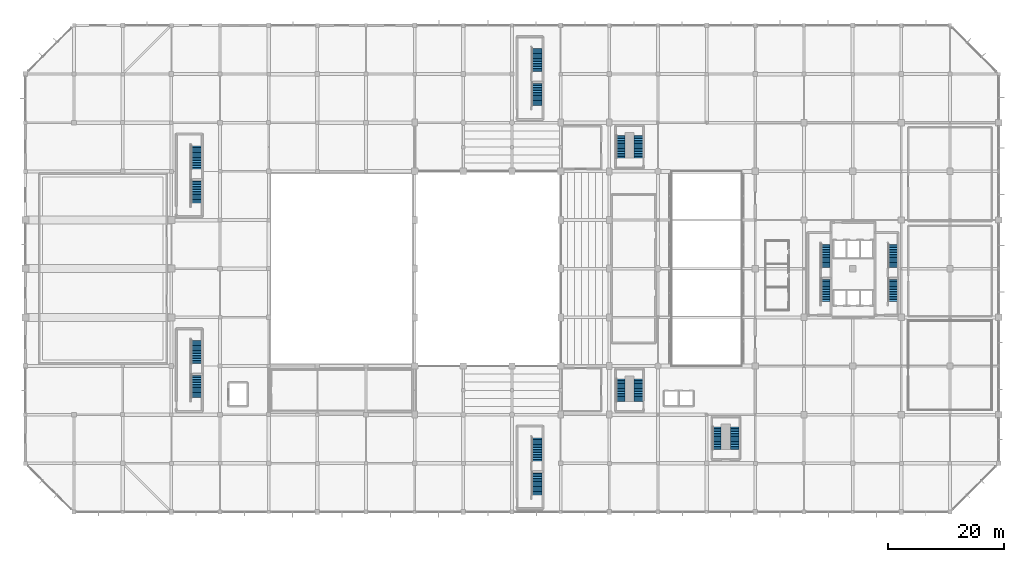
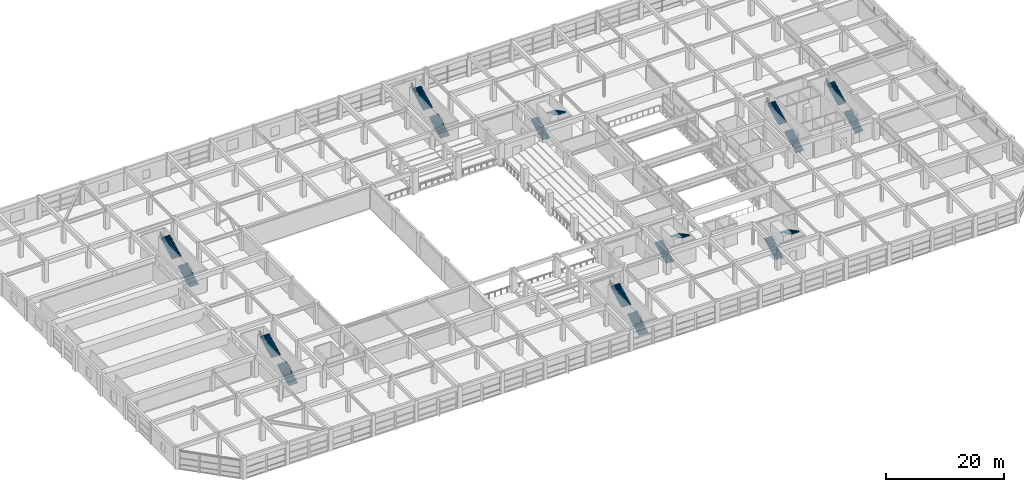
# One storey, part 54 of 62: 18 stair flights, 9 elements without a shape of their own.
"""IFC4 building model written with IfcOpenShell, lengths in metres."""

from ifc_helpers import new_model, si_unit, direction, frame, origin, place, context, subcontext, project, spatial, polyline, outline, extrude, material, layer, layer_set, type_object, element, aggregate, save


model = new_model("IFC4")

# Units and contexts
model_context = context("Model", 3, precision=1e-05, world=origin(), true_north=direction((0.0, 1.0)))
body_context = subcontext(model_context, "Body", "Model", "MODEL_VIEW")
ifc_project = project(units=[si_unit("LENGTHUNIT", "METRE"), si_unit("AREAUNIT", "SQUARE_METRE"), si_unit("VOLUMEUNIT", "CUBIC_METRE"), si_unit("PLANEANGLEUNIT", "RADIAN"), si_unit("MASSUNIT", "GRAM", prefix="KILO")], contexts=[model_context])

# Site, building, storey
site_placement = place(None, origin())
site = spatial("IfcSite", under=ifc_project, at=site_placement, CompositionType="ELEMENT")
building_placement = place(site_placement, origin())
building = spatial("IfcBuilding", under=site, at=building_placement, Name="Xuanlan Plaza Opera House", CompositionType="ELEMENT")
storey_placement = place(building_placement, frame((0.0, 0.0, 14.39990234375)))
storey = spatial("IfcBuildingStorey", under=building, at=storey_placement, Name="L03", CompositionType="ELEMENT", Elevation=14.39990234375)

# Stair, stair flights
ifc_material = material(Name="Concrete C40", Category="concrete")
stair_type_1 = type_object("IfcStairType", Name="INT-ST-STR-F130", PredefinedType="HALF_TURN_STAIR", material=ifc_material)
stair_1_placement = place(storey_placement, origin())
stair_1 = element("IfcStair", 1, at=stair_1_placement, inside=storey, type_object=stair_type_1, Name="Grand Foyer Feature Stair ST-F1 L03", PredefinedType="HALF_TURN_STAIR")
ifc_layer_1 = layer(ifc_material, 0.159912109375)
ifc_layer_set_1 = layer_set([ifc_layer_1], Name="Concrete C40")
stair_flight_type_1 = type_object("IfcStairFlightType", Name="INT-FL-FL-130", PredefinedType="STRAIGHT", material=ifc_layer_set_1)
stair_flight_1_placement = place(storey_placement, frame((102.75, 35.8798828125, 0.0), z_axis=(0.0, 0.0, 1.0), x_axis=(0.0, 1.0, 0.0)))
stair_flight_1 = element("IfcStairFlight", 2, at=stair_flight_1_placement, type_object=stair_flight_type_1, Name="ST-F1-L03 flight 1", NumberOfRisers=15, NumberOfTreads=14, PredefinedType="STRAIGHT", RiserHeight=0.15, TreadLength=0.28, context=body_context, shape_type="SweptSolid", body=[
    extrude(outline(polyline([(0.0, 0.0), (0.0, 0.14990234375), (0.280029296875, 0.14990234375), (0.280029296875, 0.300048828125), (0.56005859375, 0.300048828125), (0.56005859375, 0.449951171875), (0.840087890625, 0.449951171875), (0.840087890625, 0.60009765625), (1.1201171875, 0.60009765625), (1.1201171875, 0.75), (1.39990234375, 0.75), (1.39990234375, 0.89990234375), (1.679931640625, 0.89990234375), (1.679931640625, 1.050048828125), (1.9599609375, 1.050048828125), (1.9599609375, 1.199951171875), (2.239990234375, 1.199951171875), (2.239990234375, 1.35009765625), (2.52001953125, 1.35009765625), (2.52001953125, 1.5), (2.800048828125, 1.5), (2.800048828125, 1.64990234375), (3.080078125, 1.64990234375), (3.080078125, 1.800048828125), (3.360107421875, 1.800048828125), (3.360107421875, 1.949951171875), (3.639892578125, 1.949951171875), (3.639892578125, 2.10009765625), (3.919921875, 2.10009765625), (3.919921875, 2.25), (3.919921875, 1.918701171875), (0.338623046875, 0.0), (0.0, 0.0)])), frame((0.0, 0.75, 0.0), z_axis=(0.0, -1.0, 0.0), x_axis=(1.0, 0.0, 0.0)), (0.0, 0.0, 1.0), 1.5),
])
stair_flight_2_placement = place(storey_placement, frame((105.85009765625, 39.800048828125, 2.25), z_axis=(0.0, 0.0, 1.0), x_axis=(0.0, -1.0, 0.0)))
stair_flight_2 = element("IfcStairFlight", 3, at=stair_flight_2_placement, type_object=stair_flight_type_1, Name="ST-F1-L03 flight 2", NumberOfRisers=15, NumberOfTreads=14, PredefinedType="STRAIGHT", RiserHeight=0.15, TreadLength=0.28, context=body_context, shape_type="SweptSolid", body=[
    extrude(outline(polyline([(0.0, 0.0), (0.0, 0.14990234375), (0.280029296875, 0.14990234375), (0.280029296875, 0.300048828125), (0.56005859375, 0.300048828125), (0.56005859375, 0.449951171875), (0.840087890625, 0.449951171875), (0.840087890625, 0.60009765625), (1.1201171875, 0.60009765625), (1.1201171875, 0.75), (1.39990234375, 0.75), (1.39990234375, 0.89990234375), (1.679931640625, 0.89990234375), (1.679931640625, 1.050048828125), (1.9599609375, 1.050048828125), (1.9599609375, 1.199951171875), (2.239990234375, 1.199951171875), (2.239990234375, 1.35009765625), (2.52001953125, 1.35009765625), (2.52001953125, 1.5), (2.800048828125, 1.5), (2.800048828125, 1.64990234375), (3.080078125, 1.64990234375), (3.080078125, 1.800048828125), (3.360107421875, 1.800048828125), (3.360107421875, 1.949951171875), (3.639892578125, 1.949951171875), (3.639892578125, 2.10009765625), (3.919921875, 2.10009765625), (3.919921875, 2.25), (3.919921875, 1.918701171875), (0.338623046875, 0.0), (0.0, 0.0)])), frame((0.0, 0.75, 0.0), z_axis=(0.0, -1.0, 0.0), x_axis=(1.0, 0.0, 0.0)), (0.0, 0.0, 1.0), 1.5),
])
aggregate(stair_1, [stair_flight_1, stair_flight_2])

stair_2_placement = place(storey_placement, origin())
stair_2 = element("IfcStair", 4, at=stair_2_placement, inside=storey, type_object=stair_type_1, Name="Grand Foyer Feature Stair ST-F2 L03", PredefinedType="HALF_TURN_STAIR")
stair_flight_3_placement = place(storey_placement, frame((102.75, 77.8798828125, 0.0), z_axis=(0.0, 0.0, 1.0), x_axis=(0.0, 1.0, 0.0)))
stair_flight_3 = element("IfcStairFlight", 5, at=stair_flight_3_placement, type_object=stair_flight_type_1, Name="ST-F2-L03 flight 1", NumberOfRisers=15, NumberOfTreads=14, PredefinedType="STRAIGHT", RiserHeight=0.15, TreadLength=0.28, context=body_context, shape_type="SweptSolid", body=[
    extrude(outline(polyline([(0.0, 0.0), (0.0, 0.14990234375), (0.280029296875, 0.14990234375), (0.280029296875, 0.300048828125), (0.56005859375, 0.300048828125), (0.56005859375, 0.449951171875), (0.840087890625, 0.449951171875), (0.840087890625, 0.60009765625), (1.1201171875, 0.60009765625), (1.1201171875, 0.75), (1.39990234375, 0.75), (1.39990234375, 0.89990234375), (1.679931640625, 0.89990234375), (1.679931640625, 1.050048828125), (1.9599609375, 1.050048828125), (1.9599609375, 1.199951171875), (2.239990234375, 1.199951171875), (2.239990234375, 1.35009765625), (2.52001953125, 1.35009765625), (2.52001953125, 1.5), (2.800048828125, 1.5), (2.800048828125, 1.64990234375), (3.080078125, 1.64990234375), (3.080078125, 1.800048828125), (3.360107421875, 1.800048828125), (3.360107421875, 1.949951171875), (3.639892578125, 1.949951171875), (3.639892578125, 2.10009765625), (3.919921875, 2.10009765625), (3.919921875, 2.25), (3.919921875, 1.918701171875), (0.338623046875, 0.0), (0.0, 0.0)])), frame((0.0, 0.75, 0.0), z_axis=(0.0, -1.0, 0.0), x_axis=(1.0, 0.0, 0.0)), (0.0, 0.0, 1.0), 1.5),
])
stair_flight_4_placement = place(storey_placement, frame((105.85009765625, 81.800048828125, 2.25), z_axis=(0.0, 0.0, 1.0), x_axis=(0.0, -1.0, 0.0)))
stair_flight_4 = element("IfcStairFlight", 6, at=stair_flight_4_placement, type_object=stair_flight_type_1, Name="ST-F2-L03 flight 2", NumberOfRisers=15, NumberOfTreads=14, PredefinedType="STRAIGHT", RiserHeight=0.15, TreadLength=0.28, context=body_context, shape_type="SweptSolid", body=[
    extrude(outline(polyline([(0.0, 0.0), (0.0, 0.14990234375), (0.280029296875, 0.14990234375), (0.280029296875, 0.300048828125), (0.56005859375, 0.300048828125), (0.56005859375, 0.449951171875), (0.840087890625, 0.449951171875), (0.840087890625, 0.60009765625), (1.1201171875, 0.60009765625), (1.1201171875, 0.75), (1.39990234375, 0.75), (1.39990234375, 0.89990234375), (1.679931640625, 0.89990234375), (1.679931640625, 1.050048828125), (1.9599609375, 1.050048828125), (1.9599609375, 1.199951171875), (2.239990234375, 1.199951171875), (2.239990234375, 1.35009765625), (2.52001953125, 1.35009765625), (2.52001953125, 1.5), (2.800048828125, 1.5), (2.800048828125, 1.64990234375), (3.080078125, 1.64990234375), (3.080078125, 1.800048828125), (3.360107421875, 1.800048828125), (3.360107421875, 1.949951171875), (3.639892578125, 1.949951171875), (3.639892578125, 2.10009765625), (3.919921875, 2.10009765625), (3.919921875, 2.25), (3.919921875, 1.918701171875), (0.338623046875, 0.0), (0.0, 0.0)])), frame((0.0, 0.75, 0.0), z_axis=(0.0, -1.0, 0.0), x_axis=(1.0, 0.0, 0.0)), (0.0, 0.0, 1.0), 1.5),
])
aggregate(stair_2, [stair_flight_3, stair_flight_4])

stair_type_2 = type_object("IfcStairType", Name="INT-ST-STR-F135", PredefinedType="HALF_TURN_STAIR", material=ifc_material)
stair_3_placement = place(storey_placement, origin())
stair_3 = element("IfcStair", 7, at=stair_3_placement, inside=storey, type_object=stair_type_2, Name="Grand Foyer Feature Stair ST-F3 L03", PredefinedType="HALF_TURN_STAIR")
stair_flight_5_placement = place(storey_placement, frame((119.35009765625, 27.580078125, 0.0), z_axis=(0.0, 0.0, 1.0), x_axis=(0.0, 1.0, 0.0)))
stair_flight_5 = element("IfcStairFlight", 8, at=stair_flight_5_placement, type_object=stair_flight_type_1, Name="ST-F3-L03 flight 1", NumberOfRisers=15, NumberOfTreads=14, PredefinedType="STRAIGHT", RiserHeight=0.15, TreadLength=0.28, context=body_context, shape_type="SweptSolid", body=[
    extrude(outline(polyline([(0.0, 0.0), (0.0, 0.14990234375), (0.280029296875, 0.14990234375), (0.280029296875, 0.300048828125), (0.56005859375, 0.300048828125), (0.56005859375, 0.449951171875), (0.840087890625, 0.449951171875), (0.840087890625, 0.60009765625), (1.1201171875, 0.60009765625), (1.1201171875, 0.75), (1.39990234375, 0.75), (1.39990234375, 0.89990234375), (1.679931640625, 0.89990234375), (1.679931640625, 1.050048828125), (1.9599609375, 1.050048828125), (1.9599609375, 1.199951171875), (2.239990234375, 1.199951171875), (2.239990234375, 1.35009765625), (2.52001953125, 1.35009765625), (2.52001953125, 1.5), (2.800048828125, 1.5), (2.800048828125, 1.64990234375), (3.080078125, 1.64990234375), (3.080078125, 1.800048828125), (3.360107421875, 1.800048828125), (3.360107421875, 1.949951171875), (3.639892578125, 1.949951171875), (3.639892578125, 2.10009765625), (3.919921875, 2.10009765625), (3.919921875, 2.25), (3.919921875, 1.918701171875), (0.338623046875, 0.0), (0.0, 0.0)])), frame((0.0, 0.75, 0.0), z_axis=(0.0, -1.0, 0.0), x_axis=(1.0, 0.0, 0.0)), (0.0, 0.0, 1.0), 1.5),
])
stair_flight_6_placement = place(storey_placement, frame((122.449951171875, 31.5, 2.25), z_axis=(0.0, 0.0, 1.0), x_axis=(0.0, -1.0, 0.0)))
stair_flight_6 = element("IfcStairFlight", 9, at=stair_flight_6_placement, type_object=stair_flight_type_1, Name="ST-F3-L03 flight 2", NumberOfRisers=15, NumberOfTreads=14, PredefinedType="STRAIGHT", RiserHeight=0.15, TreadLength=0.28, context=body_context, shape_type="SweptSolid", body=[
    extrude(outline(polyline([(0.0, 0.0), (0.0, 0.14990234375), (0.280029296875, 0.14990234375), (0.280029296875, 0.300048828125), (0.56005859375, 0.300048828125), (0.56005859375, 0.449951171875), (0.840087890625, 0.449951171875), (0.840087890625, 0.60009765625), (1.1201171875, 0.60009765625), (1.1201171875, 0.75), (1.39990234375, 0.75), (1.39990234375, 0.89990234375), (1.679931640625, 0.89990234375), (1.679931640625, 1.050048828125), (1.9599609375, 1.050048828125), (1.9599609375, 1.199951171875), (2.239990234375, 1.199951171875), (2.239990234375, 1.35009765625), (2.52001953125, 1.35009765625), (2.52001953125, 1.5), (2.800048828125, 1.5), (2.800048828125, 1.64990234375), (3.080078125, 1.64990234375), (3.080078125, 1.800048828125), (3.360107421875, 1.800048828125), (3.360107421875, 1.949951171875), (3.639892578125, 1.949951171875), (3.639892578125, 2.10009765625), (3.919921875, 2.10009765625), (3.919921875, 2.25), (3.919921875, 1.918701171875), (0.338623046875, 0.0), (0.0, 0.0)])), frame((0.0, 0.75, 0.0), z_axis=(0.0, -1.0, 0.0), x_axis=(1.0, 0.0, 0.0)), (0.0, 0.0, 1.0), 1.5),
])
aggregate(stair_3, [stair_flight_5, stair_flight_6])

stair_type_3 = type_object("IfcStairType", Name="INT-ST-STR-T155", PredefinedType="STRAIGHT_RUN_STAIR", material=ifc_material)
stair_4_placement = place(storey_placement, origin())
stair_4 = element("IfcStair", 10, at=stair_4_placement, inside=storey, type_object=stair_type_3, Name="Protected Exit Stair ST-T1 L03", PredefinedType="STRAIGHT_RUN_STAIR")
ifc_layer_2 = layer(ifc_material, 0.159912109375)
ifc_layer_set_2 = layer_set([ifc_layer_2], Name="Concrete C40")
stair_flight_type_2 = type_object("IfcStairFlightType", Name="INT-FL-FL-155", PredefinedType="STRAIGHT", material=ifc_layer_set_2)
stair_flight_7_placement = place(storey_placement, frame((138.125, 53.169921875, 0.0), z_axis=(0.0, 0.0, 1.0), x_axis=(0.0, 1.0, 0.0)))
stair_flight_7 = element("IfcStairFlight", 11, at=stair_flight_7_placement, type_object=stair_flight_type_2, Name="ST-T1-L03 flight 1", NumberOfRisers=15, NumberOfTreads=14, PredefinedType="STRAIGHT", RiserHeight=0.15, TreadLength=0.285, context=body_context, shape_type="SweptSolid", body=[
    extrude(outline(polyline([(0.0, 0.0), (0.0, 0.14990234375), (0.284912109375, 0.14990234375), (0.284912109375, 0.300048828125), (0.570068359375, 0.300048828125), (0.570068359375, 0.449951171875), (0.85498046875, 0.449951171875), (0.85498046875, 0.60009765625), (1.139892578125, 0.60009765625), (1.139892578125, 0.75), (1.425048828125, 0.75), (1.425048828125, 0.89990234375), (1.7099609375, 0.89990234375), (1.7099609375, 1.050048828125), (1.9951171875, 1.050048828125), (1.9951171875, 1.199951171875), (2.280029296875, 1.199951171875), (2.280029296875, 1.35009765625), (2.56494140625, 1.35009765625), (2.56494140625, 1.5), (2.85009765625, 1.5), (2.85009765625, 1.64990234375), (3.135009765625, 1.64990234375), (3.135009765625, 1.800048828125), (3.419921875, 1.800048828125), (3.419921875, 1.949951171875), (3.705078125, 1.949951171875), (3.705078125, 2.10009765625), (3.989990234375, 2.10009765625), (3.989990234375, 2.25), (3.989990234375, 1.919189453125), (0.34326171875, 0.0), (0.0, 0.0)])), frame((0.0, 0.77490234375, 0.0), z_axis=(0.0, -1.0, 0.0), x_axis=(1.0, 0.0, 0.0)), (0.0, 0.0, 1.0), 1.550048828125),
])
stair_flight_8_placement = place(storey_placement, frame((138.125, 59.010009765625, 2.25), z_axis=(0.0, 0.0, 1.0), x_axis=(0.0, 1.0, 0.0)))
stair_flight_8 = element("IfcStairFlight", 12, at=stair_flight_8_placement, type_object=stair_flight_type_2, Name="ST-T1-L03 flight 2", NumberOfRisers=15, NumberOfTreads=14, PredefinedType="STRAIGHT", RiserHeight=0.15, TreadLength=0.285, context=body_context, shape_type="SweptSolid", body=[
    extrude(outline(polyline([(0.0, 0.0), (0.0, 0.14990234375), (0.284912109375, 0.14990234375), (0.284912109375, 0.300048828125), (0.570068359375, 0.300048828125), (0.570068359375, 0.449951171875), (0.85498046875, 0.449951171875), (0.85498046875, 0.60009765625), (1.139892578125, 0.60009765625), (1.139892578125, 0.75), (1.425048828125, 0.75), (1.425048828125, 0.89990234375), (1.7099609375, 0.89990234375), (1.7099609375, 1.050048828125), (1.9951171875, 1.050048828125), (1.9951171875, 1.199951171875), (2.280029296875, 1.199951171875), (2.280029296875, 1.35009765625), (2.56494140625, 1.35009765625), (2.56494140625, 1.5), (2.85009765625, 1.5), (2.85009765625, 1.64990234375), (3.135009765625, 1.64990234375), (3.135009765625, 1.800048828125), (3.419921875, 1.800048828125), (3.419921875, 1.949951171875), (3.705078125, 1.949951171875), (3.705078125, 2.10009765625), (3.989990234375, 2.10009765625), (3.989990234375, 2.25), (3.989990234375, 1.919189453125), (0.34326171875, 0.0), (0.0, 0.0)])), frame((0.0, 0.77490234375, 0.0), z_axis=(0.0, -1.0, 0.0), x_axis=(1.0, 0.0, 0.0)), (0.0, 0.0, 1.0), 1.550048828125),
])
aggregate(stair_4, [stair_flight_7, stair_flight_8])

stair_5_placement = place(storey_placement, origin())
stair_5 = element("IfcStair", 13, at=stair_5_placement, inside=storey, type_object=stair_type_3, Name="Protected Exit Stair ST-T2 L03", PredefinedType="STRAIGHT_RUN_STAIR")
stair_flight_9_placement = place(storey_placement, frame((149.72509765625, 53.169921875, 0.0), z_axis=(0.0, 0.0, 1.0), x_axis=(0.0, 1.0, 0.0)))
stair_flight_9 = element("IfcStairFlight", 14, at=stair_flight_9_placement, type_object=stair_flight_type_2, Name="ST-T2-L03 flight 1", NumberOfRisers=15, NumberOfTreads=14, PredefinedType="STRAIGHT", RiserHeight=0.15, TreadLength=0.285, context=body_context, shape_type="SweptSolid", body=[
    extrude(outline(polyline([(0.0, 0.0), (0.0, 0.14990234375), (0.284912109375, 0.14990234375), (0.284912109375, 0.300048828125), (0.570068359375, 0.300048828125), (0.570068359375, 0.449951171875), (0.85498046875, 0.449951171875), (0.85498046875, 0.60009765625), (1.139892578125, 0.60009765625), (1.139892578125, 0.75), (1.425048828125, 0.75), (1.425048828125, 0.89990234375), (1.7099609375, 0.89990234375), (1.7099609375, 1.050048828125), (1.9951171875, 1.050048828125), (1.9951171875, 1.199951171875), (2.280029296875, 1.199951171875), (2.280029296875, 1.35009765625), (2.56494140625, 1.35009765625), (2.56494140625, 1.5), (2.85009765625, 1.5), (2.85009765625, 1.64990234375), (3.135009765625, 1.64990234375), (3.135009765625, 1.800048828125), (3.419921875, 1.800048828125), (3.419921875, 1.949951171875), (3.705078125, 1.949951171875), (3.705078125, 2.10009765625), (3.989990234375, 2.10009765625), (3.989990234375, 2.25), (3.989990234375, 1.919189453125), (0.34326171875, 0.0), (0.0, 0.0)])), frame((0.0, 0.77490234375, 0.0), z_axis=(0.0, -1.0, 0.0), x_axis=(1.0, 0.0, 0.0)), (0.0, 0.0, 1.0), 1.550048828125),
])
stair_flight_10_placement = place(storey_placement, frame((149.72509765625, 59.010009765625, 2.25), z_axis=(0.0, 0.0, 1.0), x_axis=(0.0, 1.0, 0.0)))
stair_flight_10 = element("IfcStairFlight", 15, at=stair_flight_10_placement, type_object=stair_flight_type_2, Name="ST-T2-L03 flight 2", NumberOfRisers=15, NumberOfTreads=14, PredefinedType="STRAIGHT", RiserHeight=0.15, TreadLength=0.285, context=body_context, shape_type="SweptSolid", body=[
    extrude(outline(polyline([(0.0, 0.0), (0.0, 0.14990234375), (0.284912109375, 0.14990234375), (0.284912109375, 0.300048828125), (0.570068359375, 0.300048828125), (0.570068359375, 0.449951171875), (0.85498046875, 0.449951171875), (0.85498046875, 0.60009765625), (1.139892578125, 0.60009765625), (1.139892578125, 0.75), (1.425048828125, 0.75), (1.425048828125, 0.89990234375), (1.7099609375, 0.89990234375), (1.7099609375, 1.050048828125), (1.9951171875, 1.050048828125), (1.9951171875, 1.199951171875), (2.280029296875, 1.199951171875), (2.280029296875, 1.35009765625), (2.56494140625, 1.35009765625), (2.56494140625, 1.5), (2.85009765625, 1.5), (2.85009765625, 1.64990234375), (3.135009765625, 1.64990234375), (3.135009765625, 1.800048828125), (3.419921875, 1.800048828125), (3.419921875, 1.949951171875), (3.705078125, 1.949951171875), (3.705078125, 2.10009765625), (3.989990234375, 2.10009765625), (3.989990234375, 2.25), (3.989990234375, 1.919189453125), (0.34326171875, 0.0), (0.0, 0.0)])), frame((0.0, 0.77490234375, 0.0), z_axis=(0.0, -1.0, 0.0), x_axis=(1.0, 0.0, 0.0)), (0.0, 0.0, 1.0), 1.550048828125),
])
aggregate(stair_5, [stair_flight_9, stair_flight_10])

stair_type_4 = type_object("IfcStairType", Name="INT-ST-STR-P180", PredefinedType="STRAIGHT_RUN_STAIR", material=ifc_material)
stair_6_placement = place(storey_placement, origin())
stair_6 = element("IfcStair", 16, at=stair_6_placement, inside=storey, type_object=stair_type_4, Name="Protected Exit Stair ST-P1 L03", PredefinedType="STRAIGHT_RUN_STAIR")
ifc_layer_3 = layer(ifc_material, 0.179931640625)
ifc_layer_set_3 = layer_set([ifc_layer_3], Name="Concrete C40")
stair_flight_type_3 = type_object("IfcStairFlightType", Name="INT-FL-FL-180", PredefinedType="STRAIGHT", material=ifc_layer_set_3)
stair_flight_11_placement = place(storey_placement, frame((29.5, 36.570068359375, 0.0), z_axis=(0.0, 0.0, 1.0), x_axis=(0.0, 1.0, 0.0)))
stair_flight_11 = element("IfcStairFlight", 17, at=stair_flight_11_placement, type_object=stair_flight_type_3, Name="ST-P1-L03 flight 1", NumberOfRisers=15, NumberOfTreads=14, PredefinedType="STRAIGHT", RiserHeight=0.15, TreadLength=0.285, context=body_context, shape_type="SweptSolid", body=[
    extrude(outline(polyline([(0.0, 0.0), (0.0, 0.14990234375), (0.284912109375, 0.14990234375), (0.284912109375, 0.300048828125), (0.570068359375, 0.300048828125), (0.570068359375, 0.449951171875), (0.85498046875, 0.449951171875), (0.85498046875, 0.60009765625), (1.139892578125, 0.60009765625), (1.139892578125, 0.75), (1.425048828125, 0.75), (1.425048828125, 0.89990234375), (1.7099609375, 0.89990234375), (1.7099609375, 1.050048828125), (1.9951171875, 1.050048828125), (1.9951171875, 1.199951171875), (2.280029296875, 1.199951171875), (2.280029296875, 1.35009765625), (2.56494140625, 1.35009765625), (2.56494140625, 1.5), (2.85009765625, 1.5), (2.85009765625, 1.64990234375), (3.135009765625, 1.64990234375), (3.135009765625, 1.800048828125), (3.419921875, 1.800048828125), (3.419921875, 1.949951171875), (3.705078125, 1.949951171875), (3.705078125, 2.10009765625), (3.989990234375, 2.10009765625), (3.989990234375, 2.25), (3.989990234375, 1.919189453125), (0.34326171875, 0.0), (0.0, 0.0)])), frame((0.0, 0.89990234375, 0.0), z_axis=(0.0, -1.0, 0.0), x_axis=(1.0, 0.0, 0.0)), (0.0, 0.0, 1.0), 1.800048828125),
])
stair_flight_12_placement = place(storey_placement, frame((29.5, 42.409912109375, 2.25), z_axis=(0.0, 0.0, 1.0), x_axis=(0.0, 1.0, 0.0)))
stair_flight_12 = element("IfcStairFlight", 18, at=stair_flight_12_placement, type_object=stair_flight_type_3, Name="ST-P1-L03 flight 2", NumberOfRisers=15, NumberOfTreads=14, PredefinedType="STRAIGHT", RiserHeight=0.15, TreadLength=0.285, context=body_context, shape_type="SweptSolid", body=[
    extrude(outline(polyline([(0.0, 0.0), (0.0, 0.14990234375), (0.284912109375, 0.14990234375), (0.284912109375, 0.300048828125), (0.570068359375, 0.300048828125), (0.570068359375, 0.449951171875), (0.85498046875, 0.449951171875), (0.85498046875, 0.60009765625), (1.139892578125, 0.60009765625), (1.139892578125, 0.75), (1.425048828125, 0.75), (1.425048828125, 0.89990234375), (1.7099609375, 0.89990234375), (1.7099609375, 1.050048828125), (1.9951171875, 1.050048828125), (1.9951171875, 1.199951171875), (2.280029296875, 1.199951171875), (2.280029296875, 1.35009765625), (2.56494140625, 1.35009765625), (2.56494140625, 1.5), (2.85009765625, 1.5), (2.85009765625, 1.64990234375), (3.135009765625, 1.64990234375), (3.135009765625, 1.800048828125), (3.419921875, 1.800048828125), (3.419921875, 1.949951171875), (3.705078125, 1.949951171875), (3.705078125, 2.10009765625), (3.989990234375, 2.10009765625), (3.989990234375, 2.25), (3.989990234375, 1.919189453125), (0.34326171875, 0.0), (0.0, 0.0)])), frame((0.0, 0.89990234375, 0.0), z_axis=(0.0, -1.0, 0.0), x_axis=(1.0, 0.0, 0.0)), (0.0, 0.0, 1.0), 1.800048828125),
])
aggregate(stair_6, [stair_flight_11, stair_flight_12])

stair_7_placement = place(storey_placement, origin())
stair_7 = element("IfcStair", 19, at=stair_7_placement, inside=storey, type_object=stair_type_4, Name="Protected Exit Stair ST-P2 L03", PredefinedType="STRAIGHT_RUN_STAIR")
stair_flight_13_placement = place(storey_placement, frame((29.5, 70.169921875, 0.0), z_axis=(0.0, 0.0, 1.0), x_axis=(0.0, 1.0, 0.0)))
stair_flight_13 = element("IfcStairFlight", 20, at=stair_flight_13_placement, type_object=stair_flight_type_3, Name="ST-P2-L03 flight 1", NumberOfRisers=15, NumberOfTreads=14, PredefinedType="STRAIGHT", RiserHeight=0.15, TreadLength=0.285, context=body_context, shape_type="SweptSolid", body=[
    extrude(outline(polyline([(0.0, 0.0), (0.0, 0.14990234375), (0.284912109375, 0.14990234375), (0.284912109375, 0.300048828125), (0.570068359375, 0.300048828125), (0.570068359375, 0.449951171875), (0.85498046875, 0.449951171875), (0.85498046875, 0.60009765625), (1.139892578125, 0.60009765625), (1.139892578125, 0.75), (1.425048828125, 0.75), (1.425048828125, 0.89990234375), (1.7099609375, 0.89990234375), (1.7099609375, 1.050048828125), (1.9951171875, 1.050048828125), (1.9951171875, 1.199951171875), (2.280029296875, 1.199951171875), (2.280029296875, 1.35009765625), (2.56494140625, 1.35009765625), (2.56494140625, 1.5), (2.85009765625, 1.5), (2.85009765625, 1.64990234375), (3.135009765625, 1.64990234375), (3.135009765625, 1.800048828125), (3.419921875, 1.800048828125), (3.419921875, 1.949951171875), (3.705078125, 1.949951171875), (3.705078125, 2.10009765625), (3.989990234375, 2.10009765625), (3.989990234375, 2.25), (3.989990234375, 1.919189453125), (0.34326171875, 0.0), (0.0, 0.0)])), frame((0.0, 0.89990234375, 0.0), z_axis=(0.0, -1.0, 0.0), x_axis=(1.0, 0.0, 0.0)), (0.0, 0.0, 1.0), 1.800048828125),
])
stair_flight_14_placement = place(storey_placement, frame((29.5, 76.010009765625, 2.25), z_axis=(0.0, 0.0, 1.0), x_axis=(0.0, 1.0, 0.0)))
stair_flight_14 = element("IfcStairFlight", 21, at=stair_flight_14_placement, type_object=stair_flight_type_3, Name="ST-P2-L03 flight 2", NumberOfRisers=15, NumberOfTreads=14, PredefinedType="STRAIGHT", RiserHeight=0.15, TreadLength=0.285, context=body_context, shape_type="SweptSolid", body=[
    extrude(outline(polyline([(0.0, 0.0), (0.0, 0.14990234375), (0.284912109375, 0.14990234375), (0.284912109375, 0.300048828125), (0.570068359375, 0.300048828125), (0.570068359375, 0.449951171875), (0.85498046875, 0.449951171875), (0.85498046875, 0.60009765625), (1.139892578125, 0.60009765625), (1.139892578125, 0.75), (1.425048828125, 0.75), (1.425048828125, 0.89990234375), (1.7099609375, 0.89990234375), (1.7099609375, 1.050048828125), (1.9951171875, 1.050048828125), (1.9951171875, 1.199951171875), (2.280029296875, 1.199951171875), (2.280029296875, 1.35009765625), (2.56494140625, 1.35009765625), (2.56494140625, 1.5), (2.85009765625, 1.5), (2.85009765625, 1.64990234375), (3.135009765625, 1.64990234375), (3.135009765625, 1.800048828125), (3.419921875, 1.800048828125), (3.419921875, 1.949951171875), (3.705078125, 1.949951171875), (3.705078125, 2.10009765625), (3.989990234375, 2.10009765625), (3.989990234375, 2.25), (3.989990234375, 1.919189453125), (0.34326171875, 0.0), (0.0, 0.0)])), frame((0.0, 0.89990234375, 0.0), z_axis=(0.0, -1.0, 0.0), x_axis=(1.0, 0.0, 0.0)), (0.0, 0.0, 1.0), 1.800048828125),
])
aggregate(stair_7, [stair_flight_13, stair_flight_14])

stair_8_placement = place(storey_placement, origin())
stair_8 = element("IfcStair", 22, at=stair_8_placement, inside=storey, type_object=stair_type_4, Name="Protected Exit Stair ST-P3 L03", PredefinedType="STRAIGHT_RUN_STAIR")
stair_flight_15_placement = place(storey_placement, frame((88.300048828125, 19.77001953125, 0.0), z_axis=(0.0, 0.0, 1.0), x_axis=(0.0, 1.0, 0.0)))
stair_flight_15 = element("IfcStairFlight", 23, at=stair_flight_15_placement, type_object=stair_flight_type_3, Name="ST-P3-L03 flight 1", NumberOfRisers=15, NumberOfTreads=14, PredefinedType="STRAIGHT", RiserHeight=0.15, TreadLength=0.285, context=body_context, shape_type="SweptSolid", body=[
    extrude(outline(polyline([(0.0, 0.0), (0.0, 0.14990234375), (0.284912109375, 0.14990234375), (0.284912109375, 0.300048828125), (0.570068359375, 0.300048828125), (0.570068359375, 0.449951171875), (0.85498046875, 0.449951171875), (0.85498046875, 0.60009765625), (1.139892578125, 0.60009765625), (1.139892578125, 0.75), (1.425048828125, 0.75), (1.425048828125, 0.89990234375), (1.7099609375, 0.89990234375), (1.7099609375, 1.050048828125), (1.9951171875, 1.050048828125), (1.9951171875, 1.199951171875), (2.280029296875, 1.199951171875), (2.280029296875, 1.35009765625), (2.56494140625, 1.35009765625), (2.56494140625, 1.5), (2.85009765625, 1.5), (2.85009765625, 1.64990234375), (3.135009765625, 1.64990234375), (3.135009765625, 1.800048828125), (3.419921875, 1.800048828125), (3.419921875, 1.949951171875), (3.705078125, 1.949951171875), (3.705078125, 2.10009765625), (3.989990234375, 2.10009765625), (3.989990234375, 2.25), (3.989990234375, 1.919189453125), (0.34326171875, 0.0), (0.0, 0.0)])), frame((0.0, 0.89990234375, 0.0), z_axis=(0.0, -1.0, 0.0), x_axis=(1.0, 0.0, 0.0)), (0.0, 0.0, 1.0), 1.800048828125),
])
stair_flight_16_placement = place(storey_placement, frame((88.300048828125, 25.610107421875, 2.25), z_axis=(0.0, 0.0, 1.0), x_axis=(0.0, 1.0, 0.0)))
stair_flight_16 = element("IfcStairFlight", 24, at=stair_flight_16_placement, type_object=stair_flight_type_3, Name="ST-P3-L03 flight 2", NumberOfRisers=15, NumberOfTreads=14, PredefinedType="STRAIGHT", RiserHeight=0.15, TreadLength=0.285, context=body_context, shape_type="SweptSolid", body=[
    extrude(outline(polyline([(0.0, 0.0), (0.0, 0.14990234375), (0.284912109375, 0.14990234375), (0.284912109375, 0.300048828125), (0.570068359375, 0.300048828125), (0.570068359375, 0.449951171875), (0.85498046875, 0.449951171875), (0.85498046875, 0.60009765625), (1.139892578125, 0.60009765625), (1.139892578125, 0.75), (1.425048828125, 0.75), (1.425048828125, 0.89990234375), (1.7099609375, 0.89990234375), (1.7099609375, 1.050048828125), (1.9951171875, 1.050048828125), (1.9951171875, 1.199951171875), (2.280029296875, 1.199951171875), (2.280029296875, 1.35009765625), (2.56494140625, 1.35009765625), (2.56494140625, 1.5), (2.85009765625, 1.5), (2.85009765625, 1.64990234375), (3.135009765625, 1.64990234375), (3.135009765625, 1.800048828125), (3.419921875, 1.800048828125), (3.419921875, 1.949951171875), (3.705078125, 1.949951171875), (3.705078125, 2.10009765625), (3.989990234375, 2.10009765625), (3.989990234375, 2.25), (3.989990234375, 1.919189453125), (0.34326171875, 0.0), (0.0, 0.0)])), frame((0.0, 0.89990234375, 0.0), z_axis=(0.0, -1.0, 0.0), x_axis=(1.0, 0.0, 0.0)), (0.0, 0.0, 1.0), 1.800048828125),
])
aggregate(stair_8, [stair_flight_15, stair_flight_16])

stair_9_placement = place(storey_placement, origin())
stair_9 = element("IfcStair", 25, at=stair_9_placement, inside=storey, type_object=stair_type_4, Name="Protected Exit Stair ST-P4 L03", PredefinedType="STRAIGHT_RUN_STAIR")
stair_flight_17_placement = place(storey_placement, frame((88.300048828125, 86.969970703125, 0.0), z_axis=(0.0, 0.0, 1.0), x_axis=(0.0, 1.0, 0.0)))
stair_flight_17 = element("IfcStairFlight", 26, at=stair_flight_17_placement, type_object=stair_flight_type_3, Name="ST-P4-L03 flight 1", NumberOfRisers=15, NumberOfTreads=14, PredefinedType="STRAIGHT", RiserHeight=0.15, TreadLength=0.285, context=body_context, shape_type="SweptSolid", body=[
    extrude(outline(polyline([(0.0, 0.0), (0.0, 0.14990234375), (0.284912109375, 0.14990234375), (0.284912109375, 0.300048828125), (0.570068359375, 0.300048828125), (0.570068359375, 0.449951171875), (0.85498046875, 0.449951171875), (0.85498046875, 0.60009765625), (1.139892578125, 0.60009765625), (1.139892578125, 0.75), (1.425048828125, 0.75), (1.425048828125, 0.89990234375), (1.7099609375, 0.89990234375), (1.7099609375, 1.050048828125), (1.9951171875, 1.050048828125), (1.9951171875, 1.199951171875), (2.280029296875, 1.199951171875), (2.280029296875, 1.35009765625), (2.56494140625, 1.35009765625), (2.56494140625, 1.5), (2.85009765625, 1.5), (2.85009765625, 1.64990234375), (3.135009765625, 1.64990234375), (3.135009765625, 1.800048828125), (3.419921875, 1.800048828125), (3.419921875, 1.949951171875), (3.705078125, 1.949951171875), (3.705078125, 2.10009765625), (3.989990234375, 2.10009765625), (3.989990234375, 2.25), (3.989990234375, 1.919189453125), (0.34326171875, 0.0), (0.0, 0.0)])), frame((0.0, 0.89990234375, 0.0), z_axis=(0.0, -1.0, 0.0), x_axis=(1.0, 0.0, 0.0)), (0.0, 0.0, 1.0), 1.800048828125),
])
stair_flight_18_placement = place(storey_placement, frame((88.300048828125, 92.81005859375, 2.25), z_axis=(0.0, 0.0, 1.0), x_axis=(0.0, 1.0, 0.0)))
stair_flight_18 = element("IfcStairFlight", 27, at=stair_flight_18_placement, type_object=stair_flight_type_3, Name="ST-P4-L03 flight 2", NumberOfRisers=15, NumberOfTreads=14, PredefinedType="STRAIGHT", RiserHeight=0.15, TreadLength=0.285, context=body_context, shape_type="SweptSolid", body=[
    extrude(outline(polyline([(0.0, 0.0), (0.0, 0.14990234375), (0.284912109375, 0.14990234375), (0.284912109375, 0.300048828125), (0.570068359375, 0.300048828125), (0.570068359375, 0.449951171875), (0.85498046875, 0.449951171875), (0.85498046875, 0.60009765625), (1.139892578125, 0.60009765625), (1.139892578125, 0.75), (1.425048828125, 0.75), (1.425048828125, 0.89990234375), (1.7099609375, 0.89990234375), (1.7099609375, 1.050048828125), (1.9951171875, 1.050048828125), (1.9951171875, 1.199951171875), (2.280029296875, 1.199951171875), (2.280029296875, 1.35009765625), (2.56494140625, 1.35009765625), (2.56494140625, 1.5), (2.85009765625, 1.5), (2.85009765625, 1.64990234375), (3.135009765625, 1.64990234375), (3.135009765625, 1.800048828125), (3.419921875, 1.800048828125), (3.419921875, 1.949951171875), (3.705078125, 1.949951171875), (3.705078125, 2.10009765625), (3.989990234375, 2.10009765625), (3.989990234375, 2.25), (3.989990234375, 1.919189453125), (0.34326171875, 0.0), (0.0, 0.0)])), frame((0.0, 0.89990234375, 0.0), z_axis=(0.0, -1.0, 0.0), x_axis=(1.0, 0.0, 0.0)), (0.0, 0.0, 1.0), 1.800048828125),
])
aggregate(stair_9, [stair_flight_17, stair_flight_18])

save(model, "model.ifc")
